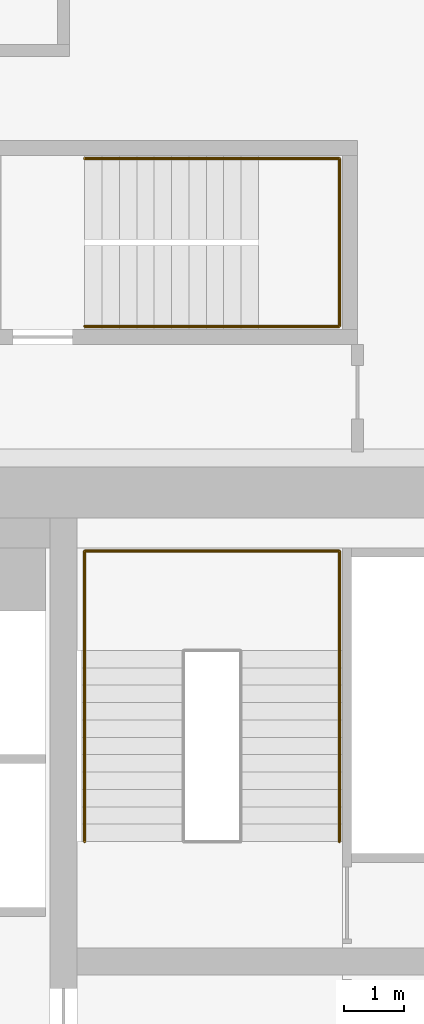
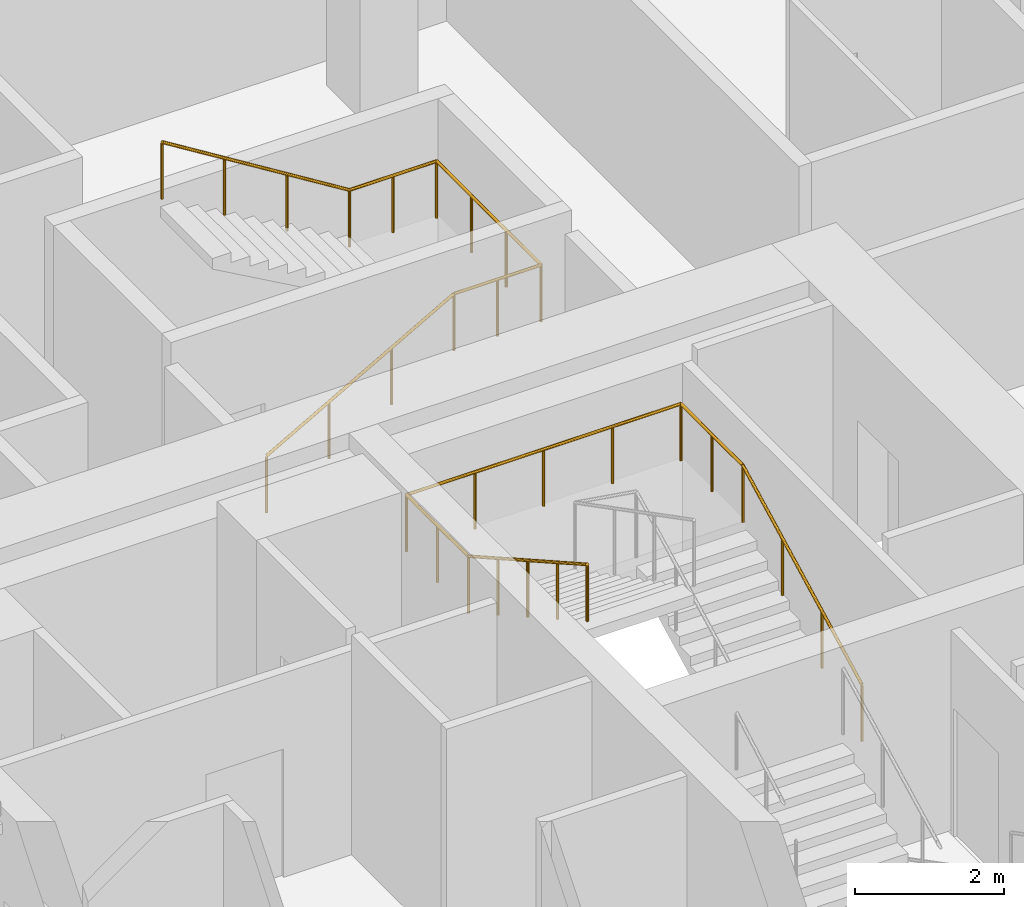
# One storey, part 33 of 33: 2 railings.
"""IFC4 building model written with IfcOpenShell, lengths in metres."""

from ifc_helpers import new_model, si_unit, direction, frame, origin, origin_2d, place, context, subcontext, project, spatial, circle, extrude, material, type_object, element, save


model = new_model("IFC4")

# Units and contexts
model_context = context("Model", 3, precision=1e-05, world=origin(), true_north=direction((0.0, 1.0)))
body_context = subcontext(model_context, "Body", "Model", "MODEL_VIEW")
ifc_project = project(units=[si_unit("LENGTHUNIT", "METRE"), si_unit("AREAUNIT", "SQUARE_METRE"), si_unit("VOLUMEUNIT", "CUBIC_METRE"), si_unit("PLANEANGLEUNIT", "RADIAN"), si_unit("MASSUNIT", "GRAM", prefix="KILO")], contexts=[model_context])

# Site, building, storey
site_placement = place(None, origin())
site = spatial("IfcSite", under=ifc_project, at=site_placement, CompositionType="ELEMENT")
building_placement = place(site_placement, origin())
building = spatial("IfcBuilding", under=site, at=building_placement, Name="Marenta Gate Hotel Tower", CompositionType="ELEMENT")
storey_placement = place(building_placement, frame((0.0, 0.0, 137.300048828125)))
storey = spatial("IfcBuildingStorey", under=building, at=storey_placement, Name="L31", CompositionType="ELEMENT", Elevation=137.300048828125)

# Railings
ifc_material = material(Name="Stainless steel", Category="steel")
railing_type = type_object("IfcRailingType", Name="Core stair handrail 950", PredefinedType="HANDRAIL", material=ifc_material)
railing_1_placement = place(storey_placement, frame((8.800048828125, 10.39990234375, 0.14990234375)))
element("IfcRailing", 1, at=railing_1_placement, inside=storey, type_object=railing_type, Name="HR-950 L31-KR-ST4-1", PredefinedType="HANDRAIL", context=body_context, shape_type="SweptSolid", body=[
    extrude(circle(Radius=0.02392578125, at=origin_2d()), frame((0.0, 0.0, 0.92578125), z_axis=(0.0, 0.888211904222, 0.459434013977), x_axis=(-1.0, 0.0, 0.0)), (0.0, 0.0, 1.0), 3.591796875),
    extrude(circle(Radius=0.02392578125, at=origin_2d()), frame((0.0, 3.190185546875, 2.576171875), z_axis=(0.0, 1.0, 0.0), x_axis=(-1.0, 0.0, 0.0)), (0.0, 0.0, 1.0), 1.659912109375),
    extrude(circle(Radius=0.02392578125, at=origin_2d()), frame((0.0, 4.85009765625, 2.576171875), z_axis=(-1.0, 0.0, 0.0), x_axis=(0.0, -1.0, 0.0)), (0.0, 0.0, 1.0), 4.25),
    extrude(circle(Radius=0.02392578125, at=origin_2d()), frame((-4.25, 4.85009765625, 2.576171875), z_axis=(0.0, -1.0, 0.0), x_axis=(1.0, 0.0, 0.0)), (0.0, 0.0, 1.0), 1.659912109375),
    extrude(circle(Radius=0.02392578125, at=origin_2d()), frame((-4.25, 3.190185546875, 2.576171875), z_axis=(0.0, -0.870953600603, 0.491365266982), x_axis=(1.0, 0.0, 0.0)), (0.0, 0.0, 1.0), 3.662841796875),
    extrude(circle(Radius=0.02099609375, at=origin_2d()), origin(), (0.0, 0.0, 1.0), 0.90185546875),
    extrude(circle(Radius=0.02099609375, at=origin_2d()), frame((0.0, 1.0634765625, 0.550048828125)), (0.0, 0.0, 1.0), 0.90185546875),
    extrude(circle(Radius=0.02099609375, at=origin_2d()), frame((0.0, 2.126708984375, 1.10009765625)), (0.0, 0.0, 1.0), 0.90185546875),
    extrude(circle(Radius=0.02099609375, at=origin_2d()), frame((0.0, 3.190185546875, 1.650146484375)), (0.0, 0.0, 1.0), 0.90185546875),
    extrude(circle(Radius=0.02099609375, at=origin_2d()), frame((0.0, 4.02001953125, 1.650146484375)), (0.0, 0.0, 1.0), 0.90185546875),
    extrude(circle(Radius=0.02099609375, at=origin_2d()), frame((0.0, 4.85009765625, 1.650146484375)), (0.0, 0.0, 1.0), 0.90185546875),
    extrude(circle(Radius=0.02099609375, at=origin_2d()), frame((-1.0625, 4.85009765625, 1.650146484375)), (0.0, 0.0, 1.0), 0.90185546875),
    extrude(circle(Radius=0.02099609375, at=origin_2d()), frame((-2.125, 4.85009765625, 1.650146484375)), (0.0, 0.0, 1.0), 0.90185546875),
    extrude(circle(Radius=0.02099609375, at=origin_2d()), frame((-3.1875, 4.85009765625, 1.650146484375)), (0.0, 0.0, 1.0), 0.90185546875),
    extrude(circle(Radius=0.02099609375, at=origin_2d()), frame((-4.25, 4.85009765625, 1.650146484375)), (0.0, 0.0, 1.0), 0.90185546875),
    extrude(circle(Radius=0.02099609375, at=origin_2d()), frame((-4.25, 4.02001953125, 1.650146484375)), (0.0, 0.0, 1.0), 0.90185546875),
    extrude(circle(Radius=0.02099609375, at=origin_2d()), frame((-4.25, 3.190185546875, 1.650146484375)), (0.0, 0.0, 1.0), 0.90185546875),
    extrude(circle(Radius=0.02099609375, at=origin_2d()), frame((-4.25, 2.392578125, 2.10009765625)), (0.0, 0.0, 1.0), 0.90185546875),
    extrude(circle(Radius=0.02099609375, at=origin_2d()), frame((-4.25, 1.59521484375, 2.550048828125)), (0.0, 0.0, 1.0), 0.90185546875),
    extrude(circle(Radius=0.02099609375, at=origin_2d()), frame((-4.25, 0.797607421875, 3.0)), (0.0, 0.0, 1.0), 0.90185546875),
    extrude(circle(Radius=0.02099609375, at=origin_2d()), frame((-4.25, 0.0, 3.449951171875)), (0.0, 0.0, 1.0), 0.90185546875),
])
railing_2_placement = place(storey_placement, frame((4.550048828125, 19.0, 0.16357421875)))
element("IfcRailing", 2, at=railing_2_placement, inside=storey, type_object=railing_type, Name="HR-950 L31-RS-Z2-4-KR-1", PredefinedType="HANDRAIL", context=body_context, shape_type="SweptSolid", body=[
    extrude(circle(Radius=0.02392578125, at=origin_2d()), frame((0.0, 0.0, 0.92578125), z_axis=(0.870897200241, 0.0, 0.491465224214), x_axis=(0.0, 1.0, 0.0)), (0.0, 0.0, 1.0), 3.329833984375),
    extrude(circle(Radius=0.02392578125, at=origin_2d()), frame((2.89990234375, 0.0, 2.5625), z_axis=(1.0, 0.0, 0.0), x_axis=(0.0, 1.0, 0.0)), (0.0, 0.0, 1.0), 1.35009765625),
    extrude(circle(Radius=0.02392578125, at=origin_2d()), frame((4.25, 0.0, 2.5625), z_axis=(0.0, 1.0, 0.0), x_axis=(-1.0, 0.0, 0.0)), (0.0, 0.0, 1.0), 2.800048828125),
    extrude(circle(Radius=0.02392578125, at=origin_2d()), frame((4.25, 2.800048828125, 2.5625), z_axis=(-1.0, 0.0, 0.0), x_axis=(0.0, -1.0, 0.0)), (0.0, 0.0, 1.0), 1.35009765625),
    extrude(circle(Radius=0.02392578125, at=origin_2d()), frame((2.89990234375, 2.800048828125, 2.5625), z_axis=(-0.849657849183, 0.0, 0.527334371458), x_axis=(0.0, -1.0, 0.0)), (0.0, 0.0, 1.0), 3.4130859375),
    extrude(circle(Radius=0.02099609375, at=origin_2d()), origin(), (0.0, 0.0, 1.0), 0.90185546875),
    extrude(circle(Radius=0.02099609375, at=origin_2d()), frame((0.966552734375, 0.0, 0.54541015625)), (0.0, 0.0, 1.0), 0.90185546875),
    extrude(circle(Radius=0.02099609375, at=origin_2d()), frame((1.933349609375, 0.0, 1.091064453125)), (0.0, 0.0, 1.0), 0.90185546875),
    extrude(circle(Radius=0.02099609375, at=origin_2d()), frame((2.89990234375, 0.0, 1.636474609375)), (0.0, 0.0, 1.0), 0.90185546875),
    extrude(circle(Radius=0.02099609375, at=origin_2d()), frame((3.574951171875, 0.0, 1.636474609375)), (0.0, 0.0, 1.0), 0.90185546875),
    extrude(circle(Radius=0.02099609375, at=origin_2d()), frame((4.25, 0.0, 1.636474609375)), (0.0, 0.0, 1.0), 0.90185546875),
    extrude(circle(Radius=0.02099609375, at=origin_2d()), frame((4.25, 0.933349609375, 1.636474609375)), (0.0, 0.0, 1.0), 0.90185546875),
    extrude(circle(Radius=0.02099609375, at=origin_2d()), frame((4.25, 1.86669921875, 1.636474609375)), (0.0, 0.0, 1.0), 0.90185546875),
    extrude(circle(Radius=0.02099609375, at=origin_2d()), frame((4.25, 2.800048828125, 1.636474609375)), (0.0, 0.0, 1.0), 0.90185546875),
    extrude(circle(Radius=0.02099609375, at=origin_2d()), frame((3.574951171875, 2.800048828125, 1.636474609375)), (0.0, 0.0, 1.0), 0.90185546875),
    extrude(circle(Radius=0.02099609375, at=origin_2d()), frame((2.89990234375, 2.800048828125, 1.636474609375)), (0.0, 0.0, 1.0), 0.90185546875),
    extrude(circle(Radius=0.02099609375, at=origin_2d()), frame((1.933349609375, 2.800048828125, 2.236328125)), (0.0, 0.0, 1.0), 0.90185546875),
    extrude(circle(Radius=0.02099609375, at=origin_2d()), frame((0.966552734375, 2.800048828125, 2.83642578125)), (0.0, 0.0, 1.0), 0.90185546875),
    extrude(circle(Radius=0.02099609375, at=origin_2d()), frame((0.0, 2.800048828125, 3.436279296875)), (0.0, 0.0, 1.0), 0.90185546875),
])

save(model, "model.ifc")
